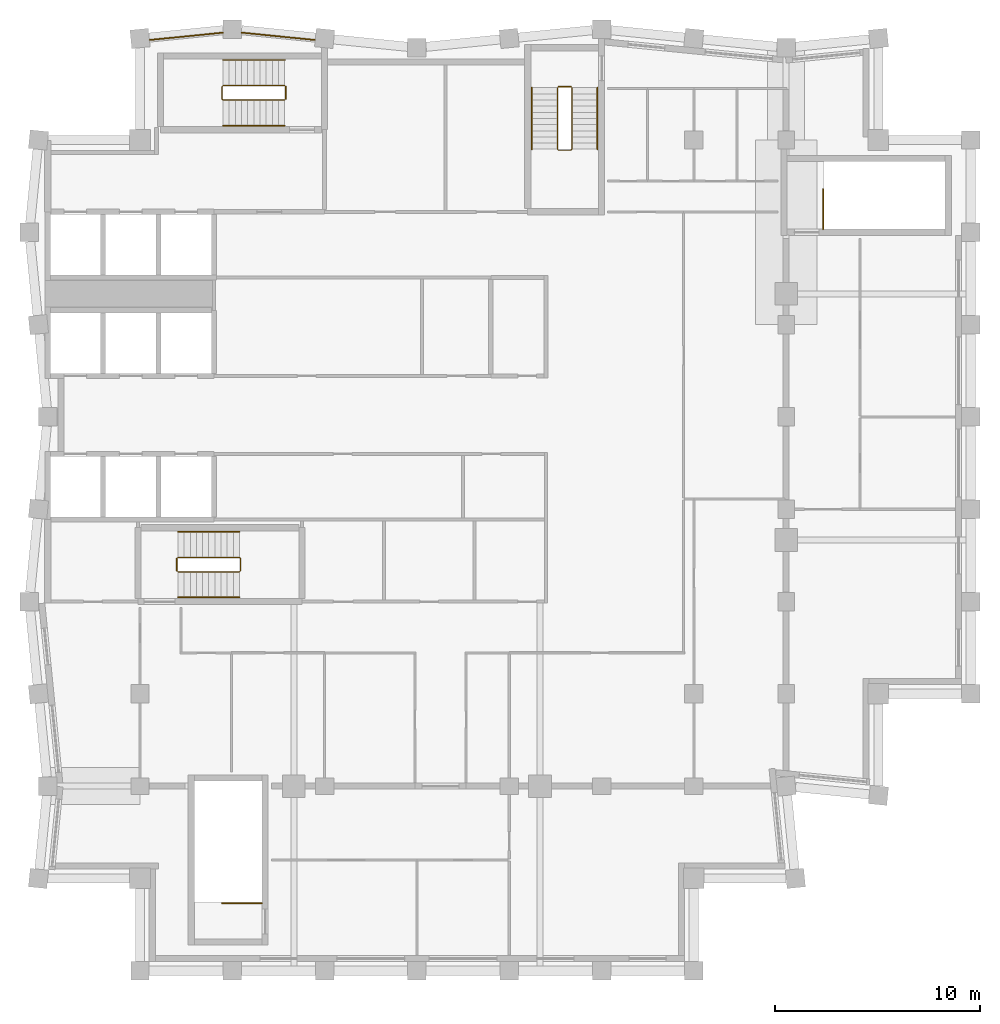
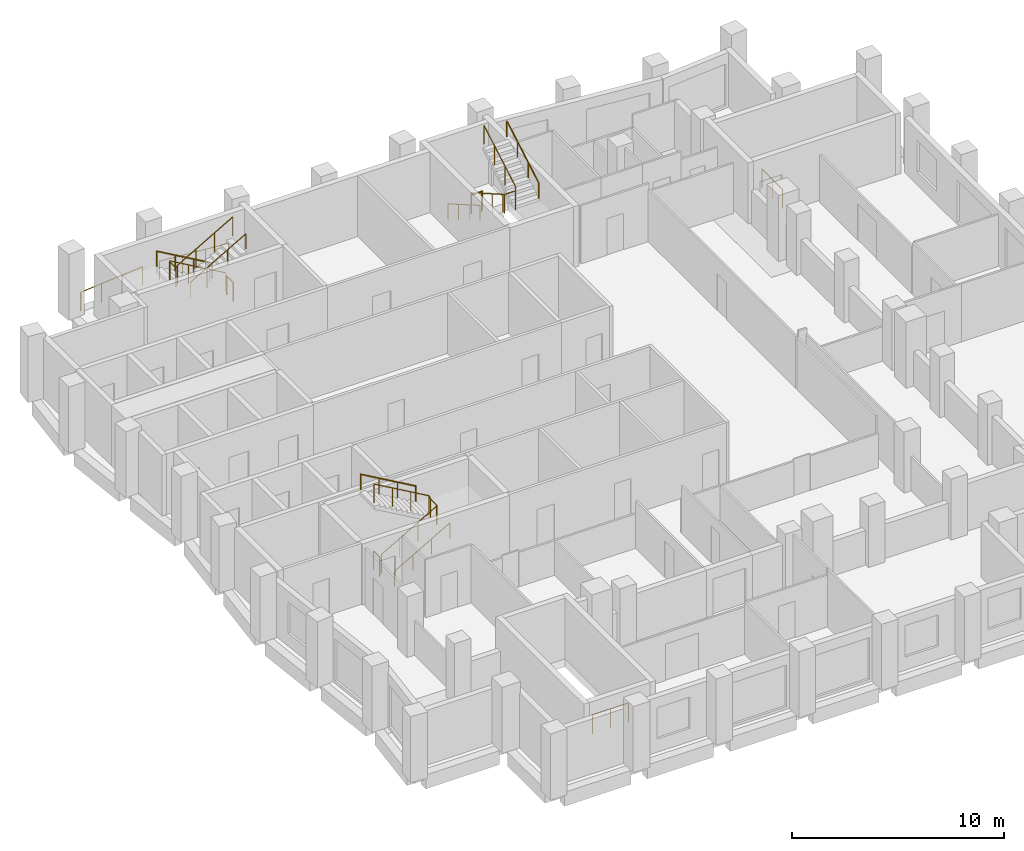
# One storey, part 7 of 7: 16 railings.
"""IFC4 building model written with IfcOpenShell, lengths in metres."""

from ifc_helpers import new_model, si_unit, direction, frame, origin, origin_2d, place, context, subcontext, project, spatial, circle, extrude, material, type_object, element, save


model = new_model("IFC4")

# Units and contexts
model_context = context("Model", 3, precision=1e-05, world=origin(), true_north=direction((0.0, 1.0)))
body_context = subcontext(model_context, "Body", "Model", "MODEL_VIEW")
ifc_project = project(units=[si_unit("LENGTHUNIT", "METRE"), si_unit("AREAUNIT", "SQUARE_METRE"), si_unit("VOLUMEUNIT", "CUBIC_METRE"), si_unit("PLANEANGLEUNIT", "RADIAN"), si_unit("MASSUNIT", "GRAM", prefix="KILO")], contexts=[model_context])

# Site, building, storey
site_placement = place(None, origin())
site = spatial("IfcSite", under=ifc_project, at=site_placement, CompositionType="ELEMENT")
building_placement = place(site_placement, origin())
building = spatial("IfcBuilding", under=site, at=building_placement, Name="Brondeck Convention Tower", CompositionType="ELEMENT")
storey_placement = place(building_placement, frame((0.0, 0.0, 279.0)))
storey = spatial("IfcBuildingStorey", under=building, at=storey_placement, Name="L69", CompositionType="ELEMENT", Elevation=279.0)

# Railings
ifc_material_1 = material(Name="Steel S355, bronze painted", Category="steel")
railing_type_1 = type_object("IfcRailingType", Name="Guard, bronze steel rail and posts", PredefinedType="GUARDRAIL", material=ifc_material_1)
railing_1_placement = place(storey_placement, frame((4.9794921875, 63.37744140625, 0.0)))
element("IfcRailing", 1, at=railing_1_placement, inside=storey, type_object=railing_type_1, Name="ENV-RL-L69-REAR1", PredefinedType="GUARDRAIL", context=body_context, shape_type="SweptSolid", body=[
    extrude(circle(Radius=0.02490234375, at=origin_2d()), frame((0.0, 0.0, 1.0751953125), z_axis=(0.995037864926, 0.099496971632, 0.0), x_axis=(-0.099496971632, 0.995037864926, 0.0)), (0.0, 0.0, 1.0), 3.58251953125),
    extrude(circle(Radius=0.02490234375, at=origin_2d()), origin(), (0.0, 0.0, 1.0), 1.050048828125),
    extrude(circle(Radius=0.02490234375, at=origin_2d()), frame((1.188232421875, 0.118896484375, 0.0)), (0.0, 0.0, 1.0), 1.050048828125),
    extrude(circle(Radius=0.02490234375, at=origin_2d()), frame((2.37646484375, 0.237548828125, 0.0)), (0.0, 0.0, 1.0), 1.050048828125),
    extrude(circle(Radius=0.02490234375, at=origin_2d()), frame((3.564697265625, 0.3564453125, 0.0)), (0.0, 0.0, 1.0), 1.050048828125),
])
railing_2_placement = place(storey_placement, frame((9.455810546875, 63.73388671875, 0.0)))
element("IfcRailing", 2, at=railing_2_placement, inside=storey, type_object=railing_type_1, Name="ENV-RL-L69-REAR2", PredefinedType="GUARDRAIL", context=body_context, shape_type="SweptSolid", body=[
    extrude(circle(Radius=0.02490234375, at=origin_2d()), frame((0.0, 0.0, 1.0751953125), z_axis=(0.995037864926, -0.099496971632, 0.0), x_axis=(0.099496971632, 0.995037864926, 0.0)), (0.0, 0.0, 1.0), 3.58251953125),
    extrude(circle(Radius=0.02490234375, at=origin_2d()), origin(), (0.0, 0.0, 1.0), 1.050048828125),
    extrude(circle(Radius=0.02490234375, at=origin_2d()), frame((1.188232421875, -0.118896484375, 0.0)), (0.0, 0.0, 1.0), 1.050048828125),
    extrude(circle(Radius=0.02490234375, at=origin_2d()), frame((2.37646484375, -0.237548828125, 0.0)), (0.0, 0.0, 1.0), 1.050048828125),
    extrude(circle(Radius=0.02490234375, at=origin_2d()), frame((3.564697265625, -0.3564453125, 0.0)), (0.0, 0.0, 1.0), 1.050048828125),
])
ifc_material_2 = material(Name="Steel S355", Category="steel")
railing_type_2 = type_object("IfcRailingType", Name="Stair guard 1100", PredefinedType="GUARDRAIL", material=ifc_material_2)
railing_3_placement = place(storey_placement, frame((6.35009765625, 37.449951171875, 0.172607421875)))
element("IfcRailing", 3, at=railing_3_placement, inside=storey, type_object=railing_type_2, Name="L69 ST-1 stair guard 1", PredefinedType="GUARDRAIL", context=body_context, shape_type="SweptSolid", body=[
    extrude(circle(Radius=0.02392578125, at=origin_2d()), frame((0.0, 0.0, 1.076171875), z_axis=(0.866619684472, 0.0, 0.498969260062), x_axis=(0.0, 1.0, 0.0)), (0.0, 0.0, 1.0), 3.461669921875),
    extrude(circle(Radius=0.02392578125, at=origin_2d()), frame((3.0, 0.0, 2.80322265625), z_axis=(0.705375805398, 0.708833529934, 0.0), x_axis=(-0.708833529934, 0.705375805398, 0.0)), (0.0, 0.0, 1.0), 0.070556640625),
    extrude(circle(Radius=0.02392578125, at=origin_2d()), frame((3.0498046875, 0.050048828125, 2.80322265625), z_axis=(0.0, 1.0, 0.0), x_axis=(-1.0, 0.0, 0.0)), (0.0, 0.0, 1.0), 0.60009765625),
    extrude(circle(Radius=0.02392578125, at=origin_2d()), frame((3.0498046875, 0.650146484375, 2.80322265625), z_axis=(-0.266832911964, 0.266832911964, 0.926067165051), x_axis=(-0.707106781187, -0.707106781187, 0.0)), (0.0, 0.0, 1.0), 0.186767578125),
    extrude(circle(Radius=0.02392578125, at=origin_2d()), frame((3.0, 0.699951171875, 2.97607421875), z_axis=(-0.866619684472, 0.0, 0.498969260062), x_axis=(0.0, -1.0, 0.0)), (0.0, 0.0, 1.0), 3.461669921875),
    extrude(circle(Radius=0.02099609375, at=origin_2d()), origin(), (0.0, 0.0, 1.0), 1.052001953125),
    extrude(circle(Radius=0.02099609375, at=origin_2d()), frame((1.0, 0.0, 0.57568359375)), (0.0, 0.0, 1.0), 1.052001953125),
    extrude(circle(Radius=0.02099609375, at=origin_2d()), frame((2.0, 0.0, 1.151611328125)), (0.0, 0.0, 1.0), 1.052001953125),
    extrude(circle(Radius=0.02099609375, at=origin_2d()), frame((3.0, 0.0, 1.727294921875)), (0.0, 0.0, 1.0), 1.052001953125),
    extrude(circle(Radius=0.02099609375, at=origin_2d()), frame((3.0498046875, 0.050048828125, 1.727294921875)), (0.0, 0.0, 1.0), 1.052001953125),
    extrude(circle(Radius=0.02099609375, at=origin_2d()), frame((3.0498046875, 0.650146484375, 1.727294921875)), (0.0, 0.0, 1.0), 1.052001953125),
    extrude(circle(Radius=0.02099609375, at=origin_2d()), frame((3.0, 0.699951171875, 1.900146484375)), (0.0, 0.0, 1.0), 1.052001953125),
    extrude(circle(Radius=0.02099609375, at=origin_2d()), frame((2.0, 0.699951171875, 2.475830078125)), (0.0, 0.0, 1.0), 1.052001953125),
    extrude(circle(Radius=0.02099609375, at=origin_2d()), frame((1.0, 0.699951171875, 3.0517578125)), (0.0, 0.0, 1.0), 1.052001953125),
    extrude(circle(Radius=0.02099609375, at=origin_2d()), frame((0.0, 0.699951171875, 3.62744140625)), (0.0, 0.0, 1.0), 1.052001953125),
])
railing_4_placement = place(storey_placement, frame((6.300048828125, 37.5, 0.0)))
element("IfcRailing", 4, at=railing_4_placement, inside=storey, type_object=railing_type_2, Name="L69 ST-1 stair guard 2", PredefinedType="GUARDRAIL", context=body_context, shape_type="SweptSolid", body=[
    extrude(circle(Radius=0.02392578125, at=origin_2d()), frame((0.0, 0.0, 1.076171875), z_axis=(0.0, 1.0, 0.0), x_axis=(-1.0, 0.0, 0.0)), (0.0, 0.0, 1.0), 0.60009765625),
    extrude(circle(Radius=0.02099609375, at=origin_2d()), origin(), (0.0, 0.0, 1.0), 1.052001953125),
    extrude(circle(Radius=0.02099609375, at=origin_2d()), frame((0.0, 0.60009765625, 0.0)), (0.0, 0.0, 1.0), 1.052001953125),
])
railing_5_placement = place(storey_placement, frame((24.85009765625, 61.050048828125, 0.172607421875)))
element("IfcRailing", 5, at=railing_5_placement, inside=storey, type_object=railing_type_2, Name="L69 ST-2 stair guard 1", PredefinedType="GUARDRAIL", context=body_context, shape_type="SweptSolid", body=[
    extrude(circle(Radius=0.02392578125, at=origin_2d()), frame((0.0, 0.0, 1.076171875), z_axis=(0.0, -0.866619684472, 0.498969260062), x_axis=(1.0, 0.0, 0.0)), (0.0, 0.0, 1.0), 3.461669921875),
    extrude(circle(Radius=0.02392578125, at=origin_2d()), frame((0.0, -3.0, 2.80322265625), z_axis=(0.705375805398, -0.708833529934, 0.0), x_axis=(0.708833529934, 0.705375805398, 0.0)), (0.0, 0.0, 1.0), 0.070556640625),
    extrude(circle(Radius=0.02392578125, at=origin_2d()), frame((0.0498046875, -3.050048828125, 2.80322265625), z_axis=(1.0, 0.0, 0.0), x_axis=(0.0, 1.0, 0.0)), (0.0, 0.0, 1.0), 0.60009765625),
    extrude(circle(Radius=0.02392578125, at=origin_2d()), frame((0.64990234375, -3.050048828125, 2.80322265625), z_axis=(0.267953482034, 0.267953482034, 0.925419830635), x_axis=(-0.707106781187, 0.707106781187, 0.0)), (0.0, 0.0, 1.0), 0.186767578125),
    extrude(circle(Radius=0.02392578125, at=origin_2d()), frame((0.699951171875, -3.0, 2.97607421875), z_axis=(0.0, 0.866619684472, 0.498969260062), x_axis=(-1.0, 0.0, 0.0)), (0.0, 0.0, 1.0), 3.461669921875),
    extrude(circle(Radius=0.02099609375, at=origin_2d()), origin(), (0.0, 0.0, 1.0), 1.052001953125),
    extrude(circle(Radius=0.02099609375, at=origin_2d()), frame((0.0, -1.0, 0.57568359375)), (0.0, 0.0, 1.0), 1.052001953125),
    extrude(circle(Radius=0.02099609375, at=origin_2d()), frame((0.0, -2.0, 1.151611328125)), (0.0, 0.0, 1.0), 1.052001953125),
    extrude(circle(Radius=0.02099609375, at=origin_2d()), frame((0.0, -3.0, 1.727294921875)), (0.0, 0.0, 1.0), 1.052001953125),
    extrude(circle(Radius=0.02099609375, at=origin_2d()), frame((0.0498046875, -3.050048828125, 1.727294921875)), (0.0, 0.0, 1.0), 1.052001953125),
    extrude(circle(Radius=0.02099609375, at=origin_2d()), frame((0.64990234375, -3.050048828125, 1.727294921875)), (0.0, 0.0, 1.0), 1.052001953125),
    extrude(circle(Radius=0.02099609375, at=origin_2d()), frame((0.699951171875, -3.0, 1.900146484375)), (0.0, 0.0, 1.0), 1.052001953125),
    extrude(circle(Radius=0.02099609375, at=origin_2d()), frame((0.699951171875, -2.0, 2.475830078125)), (0.0, 0.0, 1.0), 1.052001953125),
    extrude(circle(Radius=0.02099609375, at=origin_2d()), frame((0.699951171875, -1.0, 3.0517578125)), (0.0, 0.0, 1.0), 1.052001953125),
    extrude(circle(Radius=0.02099609375, at=origin_2d()), frame((0.699951171875, 0.0, 3.62744140625)), (0.0, 0.0, 1.0), 1.052001953125),
])
railing_6_placement = place(storey_placement, frame((24.89990234375, 61.10009765625, 0.0)))
element("IfcRailing", 6, at=railing_6_placement, inside=storey, type_object=railing_type_2, Name="L69 ST-2 stair guard 2", PredefinedType="GUARDRAIL", context=body_context, shape_type="SweptSolid", body=[
    extrude(circle(Radius=0.02392578125, at=origin_2d()), frame((0.0, 0.0, 1.076171875), z_axis=(1.0, 0.0, 0.0), x_axis=(0.0, 1.0, 0.0)), (0.0, 0.0, 1.0), 0.60009765625),
    extrude(circle(Radius=0.02099609375, at=origin_2d()), origin(), (0.0, 0.0, 1.0), 1.052001953125),
    extrude(circle(Radius=0.02099609375, at=origin_2d()), frame((0.60009765625, 0.0, 0.0)), (0.0, 0.0, 1.0), 1.052001953125),
])
railing_7_placement = place(storey_placement, frame((11.550048828125, 61.14990234375, 0.172607421875)))
element("IfcRailing", 7, at=railing_7_placement, inside=storey, type_object=railing_type_2, Name="L69 ST-3 stair guard 1", PredefinedType="GUARDRAIL", context=body_context, shape_type="SweptSolid", body=[
    extrude(circle(Radius=0.02392578125, at=origin_2d()), frame((0.0, 0.0, 1.076171875), z_axis=(-0.866619684472, 0.0, 0.498969260062), x_axis=(0.0, -1.0, 0.0)), (0.0, 0.0, 1.0), 3.461669921875),
    extrude(circle(Radius=0.02392578125, at=origin_2d()), frame((-3.0, 0.0, 2.80322265625), z_axis=(-0.708833529934, -0.705375805398, 0.0), x_axis=(0.705375805398, -0.708833529934, 0.0)), (0.0, 0.0, 1.0), 0.070556640625),
    extrude(circle(Radius=0.02392578125, at=origin_2d()), frame((-3.050048828125, -0.0498046875, 2.80322265625), z_axis=(0.0, -1.0, 0.0), x_axis=(1.0, 0.0, 0.0)), (0.0, 0.0, 1.0), 0.60009765625),
    extrude(circle(Radius=0.02392578125, at=origin_2d()), frame((-3.050048828125, -0.64990234375, 2.80322265625), z_axis=(0.267953482034, -0.267953482034, 0.925419830635), x_axis=(0.707106781187, 0.707106781187, 0.0)), (0.0, 0.0, 1.0), 0.186767578125),
    extrude(circle(Radius=0.02392578125, at=origin_2d()), frame((-3.0, -0.699951171875, 2.97607421875), z_axis=(0.866619684472, 0.0, 0.498969260062), x_axis=(0.0, 1.0, 0.0)), (0.0, 0.0, 1.0), 3.461669921875),
    extrude(circle(Radius=0.02099609375, at=origin_2d()), origin(), (0.0, 0.0, 1.0), 1.052001953125),
    extrude(circle(Radius=0.02099609375, at=origin_2d()), frame((-1.0, 0.0, 0.57568359375)), (0.0, 0.0, 1.0), 1.052001953125),
    extrude(circle(Radius=0.02099609375, at=origin_2d()), frame((-2.0, 0.0, 1.151611328125)), (0.0, 0.0, 1.0), 1.052001953125),
    extrude(circle(Radius=0.02099609375, at=origin_2d()), frame((-3.0, 0.0, 1.727294921875)), (0.0, 0.0, 1.0), 1.052001953125),
    extrude(circle(Radius=0.02099609375, at=origin_2d()), frame((-3.050048828125, -0.0498046875, 1.727294921875)), (0.0, 0.0, 1.0), 1.052001953125),
    extrude(circle(Radius=0.02099609375, at=origin_2d()), frame((-3.050048828125, -0.64990234375, 1.727294921875)), (0.0, 0.0, 1.0), 1.052001953125),
    extrude(circle(Radius=0.02099609375, at=origin_2d()), frame((-3.0, -0.699951171875, 1.900146484375)), (0.0, 0.0, 1.0), 1.052001953125),
    extrude(circle(Radius=0.02099609375, at=origin_2d()), frame((-2.0, -0.699951171875, 2.475830078125)), (0.0, 0.0, 1.0), 1.052001953125),
    extrude(circle(Radius=0.02099609375, at=origin_2d()), frame((-1.0, -0.699951171875, 3.0517578125)), (0.0, 0.0, 1.0), 1.052001953125),
    extrude(circle(Radius=0.02099609375, at=origin_2d()), frame((0.0, -0.699951171875, 3.62744140625)), (0.0, 0.0, 1.0), 1.052001953125),
])
railing_8_placement = place(storey_placement, frame((11.60009765625, 61.10009765625, 0.0)))
element("IfcRailing", 8, at=railing_8_placement, inside=storey, type_object=railing_type_2, Name="L69 ST-3 stair guard 2", PredefinedType="GUARDRAIL", context=body_context, shape_type="SweptSolid", body=[
    extrude(circle(Radius=0.02392578125, at=origin_2d()), frame((0.0, 0.0, 1.076171875), z_axis=(0.0, -1.0, 0.0), x_axis=(1.0, 0.0, 0.0)), (0.0, 0.0, 1.0), 0.60009765625),
    extrude(circle(Radius=0.02099609375, at=origin_2d()), origin(), (0.0, 0.0, 1.0), 1.052001953125),
    extrude(circle(Radius=0.02099609375, at=origin_2d()), frame((0.0, -0.60009765625, 0.0)), (0.0, 0.0, 1.0), 1.052001953125),
])
railing_9_placement = place(storey_placement, frame((37.800048828125, 54.14990234375, 0.0)))
element("IfcRailing", 9, at=railing_9_placement, inside=storey, type_object=railing_type_2, Name="L69 ST-AE top well guard 1", PredefinedType="GUARDRAIL", context=body_context, shape_type="SweptSolid", body=[
    extrude(circle(Radius=0.02392578125, at=origin_2d()), frame((0.0, 0.0, 1.076171875), z_axis=(0.0, 1.0, 0.0), x_axis=(-1.0, 0.0, 0.0)), (0.0, 0.0, 1.0), 1.9501953125),
    extrude(circle(Radius=0.02099609375, at=origin_2d()), origin(), (0.0, 0.0, 1.0), 1.052001953125),
    extrude(circle(Radius=0.02099609375, at=origin_2d()), frame((0.0, 0.97509765625, 0.0)), (0.0, 0.0, 1.0), 1.052001953125),
    extrude(circle(Radius=0.02099609375, at=origin_2d()), frame((0.0, 1.9501953125, 0.0)), (0.0, 0.0, 1.0), 1.052001953125),
])
railing_10_placement = place(storey_placement, frame((10.449951171875, 21.300048828125, 0.0)))
element("IfcRailing", 10, at=railing_10_placement, inside=storey, type_object=railing_type_2, Name="L69 ST-BE top well guard 1", PredefinedType="GUARDRAIL", context=body_context, shape_type="SweptSolid", body=[
    extrude(circle(Radius=0.02392578125, at=origin_2d()), frame((0.0, 0.0, 1.076171875), z_axis=(-1.0, 0.0, 0.0), x_axis=(0.0, -1.0, 0.0)), (0.0, 0.0, 1.0), 1.949951171875),
    extrude(circle(Radius=0.02099609375, at=origin_2d()), origin(), (0.0, 0.0, 1.0), 1.052001953125),
    extrude(circle(Radius=0.02099609375, at=origin_2d()), frame((-0.97509765625, 0.0, 0.0)), (0.0, 0.0, 1.0), 1.052001953125),
    extrude(circle(Radius=0.02099609375, at=origin_2d()), frame((-1.949951171875, 0.0, 0.0)), (0.0, 0.0, 1.0), 1.052001953125),
])
railing_type_3 = type_object("IfcRailingType", Name="Stair handrail", PredefinedType="HANDRAIL", material=ifc_material_2)
railing_11_placement = place(storey_placement, frame((6.35009765625, 36.199951171875, 0.172607421875)))
element("IfcRailing", 11, at=railing_11_placement, inside=storey, type_object=railing_type_3, Name="L69 ST-1 stair handrail 1", PredefinedType="HANDRAIL", context=body_context, shape_type="SweptSolid", body=[
    extrude(circle(Radius=0.02392578125, at=origin_2d()), frame((0.0, 0.0, 0.8759765625), z_axis=(0.866619684472, 0.0, 0.498969260062), x_axis=(0.0, 1.0, 0.0)), (0.0, 0.0, 1.0), 3.461669921875),
    extrude(circle(Radius=0.02099609375, at=origin_2d()), origin(), (0.0, 0.0, 1.0), 0.851806640625),
    extrude(circle(Radius=0.02099609375, at=origin_2d()), frame((1.0, 0.0, 0.57568359375)), (0.0, 0.0, 1.0), 0.851806640625),
    extrude(circle(Radius=0.02099609375, at=origin_2d()), frame((2.0, 0.0, 1.151611328125)), (0.0, 0.0, 1.0), 0.851806640625),
    extrude(circle(Radius=0.02099609375, at=origin_2d()), frame((3.0, 0.0, 1.727294921875)), (0.0, 0.0, 1.0), 0.851806640625),
])
railing_12_placement = place(storey_placement, frame((9.35009765625, 39.39990234375, 2.07275390625)))
element("IfcRailing", 12, at=railing_12_placement, inside=storey, type_object=railing_type_3, Name="L69 ST-1 stair handrail 2", PredefinedType="HANDRAIL", context=body_context, shape_type="SweptSolid", body=[
    extrude(circle(Radius=0.02392578125, at=origin_2d()), frame((0.0, 0.0, 0.8759765625), z_axis=(-0.866619684472, 0.0, 0.498969260062), x_axis=(0.0, -1.0, 0.0)), (0.0, 0.0, 1.0), 3.461669921875),
    extrude(circle(Radius=0.02099609375, at=origin_2d()), origin(), (0.0, 0.0, 1.0), 0.851806640625),
    extrude(circle(Radius=0.02099609375, at=origin_2d()), frame((-1.0, 0.0, 0.57568359375)), (0.0, 0.0, 1.0), 0.851806640625),
    extrude(circle(Radius=0.02099609375, at=origin_2d()), frame((-2.0, 0.0, 1.151611328125)), (0.0, 0.0, 1.0), 0.851806640625),
    extrude(circle(Radius=0.02099609375, at=origin_2d()), frame((-3.0, 0.0, 1.727294921875)), (0.0, 0.0, 1.0), 0.851806640625),
])
railing_13_placement = place(storey_placement, frame((23.60009765625, 61.050048828125, 0.172607421875)))
element("IfcRailing", 13, at=railing_13_placement, inside=storey, type_object=railing_type_3, Name="L69 ST-2 stair handrail 1", PredefinedType="HANDRAIL", context=body_context, shape_type="SweptSolid", body=[
    extrude(circle(Radius=0.02392578125, at=origin_2d()), frame((0.0, 0.0, 0.8759765625), z_axis=(0.0, -0.866619684472, 0.498969260062), x_axis=(1.0, 0.0, 0.0)), (0.0, 0.0, 1.0), 3.461669921875),
    extrude(circle(Radius=0.02099609375, at=origin_2d()), origin(), (0.0, 0.0, 1.0), 0.851806640625),
    extrude(circle(Radius=0.02099609375, at=origin_2d()), frame((0.0, -1.0, 0.57568359375)), (0.0, 0.0, 1.0), 0.851806640625),
    extrude(circle(Radius=0.02099609375, at=origin_2d()), frame((0.0, -2.0, 1.151611328125)), (0.0, 0.0, 1.0), 0.851806640625),
    extrude(circle(Radius=0.02099609375, at=origin_2d()), frame((0.0, -3.0, 1.727294921875)), (0.0, 0.0, 1.0), 0.851806640625),
])
railing_14_placement = place(storey_placement, frame((26.800048828125, 58.050048828125, 2.07275390625)))
element("IfcRailing", 14, at=railing_14_placement, inside=storey, type_object=railing_type_3, Name="L69 ST-2 stair handrail 2", PredefinedType="HANDRAIL", context=body_context, shape_type="SweptSolid", body=[
    extrude(circle(Radius=0.02392578125, at=origin_2d()), frame((0.0, 0.0, 0.8759765625), z_axis=(0.0, 0.866619684472, 0.498969260062), x_axis=(-1.0, 0.0, 0.0)), (0.0, 0.0, 1.0), 3.461669921875),
    extrude(circle(Radius=0.02099609375, at=origin_2d()), origin(), (0.0, 0.0, 1.0), 0.851806640625),
    extrude(circle(Radius=0.02099609375, at=origin_2d()), frame((0.0, 1.0, 0.57568359375)), (0.0, 0.0, 1.0), 0.851806640625),
    extrude(circle(Radius=0.02099609375, at=origin_2d()), frame((0.0, 2.0, 1.151611328125)), (0.0, 0.0, 1.0), 0.851806640625),
    extrude(circle(Radius=0.02099609375, at=origin_2d()), frame((0.0, 3.0, 1.727294921875)), (0.0, 0.0, 1.0), 0.851806640625),
])
railing_15_placement = place(storey_placement, frame((11.550048828125, 62.39990234375, 0.172607421875)))
element("IfcRailing", 15, at=railing_15_placement, inside=storey, type_object=railing_type_3, Name="L69 ST-3 stair handrail 1", PredefinedType="HANDRAIL", context=body_context, shape_type="SweptSolid", body=[
    extrude(circle(Radius=0.02392578125, at=origin_2d()), frame((0.0, 0.0, 0.8759765625), z_axis=(-0.866619684472, 0.0, 0.498969260062), x_axis=(0.0, -1.0, 0.0)), (0.0, 0.0, 1.0), 3.461669921875),
    extrude(circle(Radius=0.02099609375, at=origin_2d()), origin(), (0.0, 0.0, 1.0), 0.851806640625),
    extrude(circle(Radius=0.02099609375, at=origin_2d()), frame((-1.0, 0.0, 0.57568359375)), (0.0, 0.0, 1.0), 0.851806640625),
    extrude(circle(Radius=0.02099609375, at=origin_2d()), frame((-2.0, 0.0, 1.151611328125)), (0.0, 0.0, 1.0), 0.851806640625),
    extrude(circle(Radius=0.02099609375, at=origin_2d()), frame((-3.0, 0.0, 1.727294921875)), (0.0, 0.0, 1.0), 0.851806640625),
])
railing_16_placement = place(storey_placement, frame((8.550048828125, 59.199951171875, 2.07275390625)))
element("IfcRailing", 16, at=railing_16_placement, inside=storey, type_object=railing_type_3, Name="L69 ST-3 stair handrail 2", PredefinedType="HANDRAIL", context=body_context, shape_type="SweptSolid", body=[
    extrude(circle(Radius=0.02392578125, at=origin_2d()), frame((0.0, 0.0, 0.8759765625), z_axis=(0.866619684472, 0.0, 0.498969260062), x_axis=(0.0, 1.0, 0.0)), (0.0, 0.0, 1.0), 3.461669921875),
    extrude(circle(Radius=0.02099609375, at=origin_2d()), origin(), (0.0, 0.0, 1.0), 0.851806640625),
    extrude(circle(Radius=0.02099609375, at=origin_2d()), frame((1.0, 0.0, 0.57568359375)), (0.0, 0.0, 1.0), 0.851806640625),
    extrude(circle(Radius=0.02099609375, at=origin_2d()), frame((2.0, 0.0, 1.151611328125)), (0.0, 0.0, 1.0), 0.851806640625),
    extrude(circle(Radius=0.02099609375, at=origin_2d()), frame((3.0, 0.0, 1.727294921875)), (0.0, 0.0, 1.0), 0.851806640625),
])

save(model, "model.ifc")
